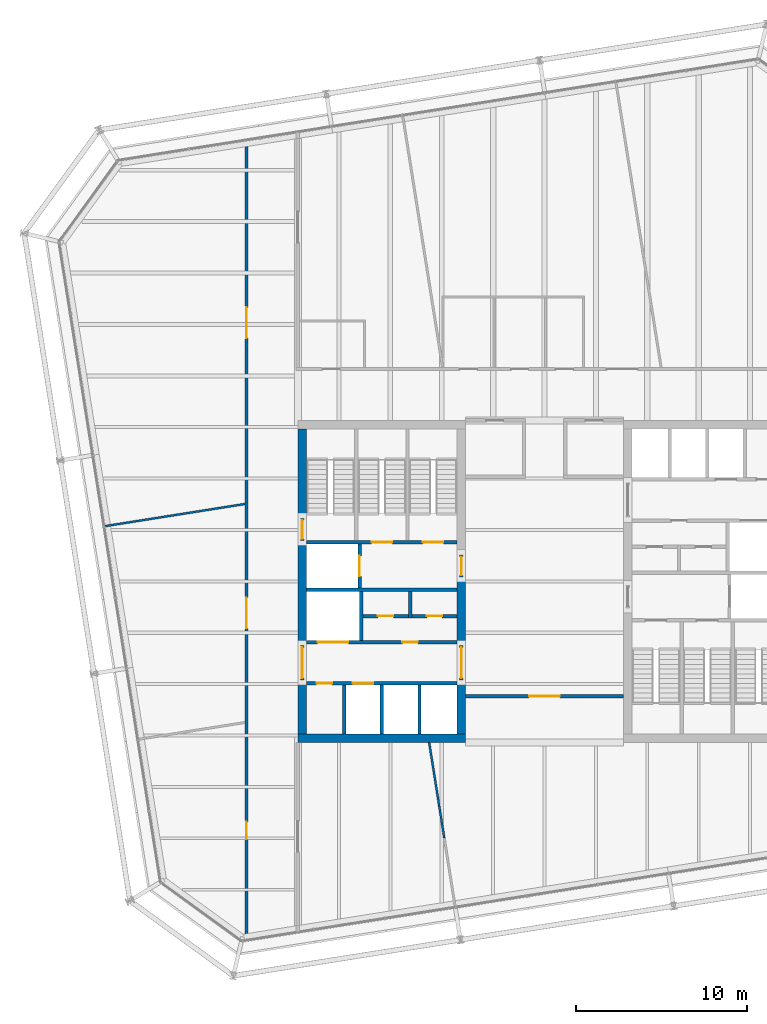
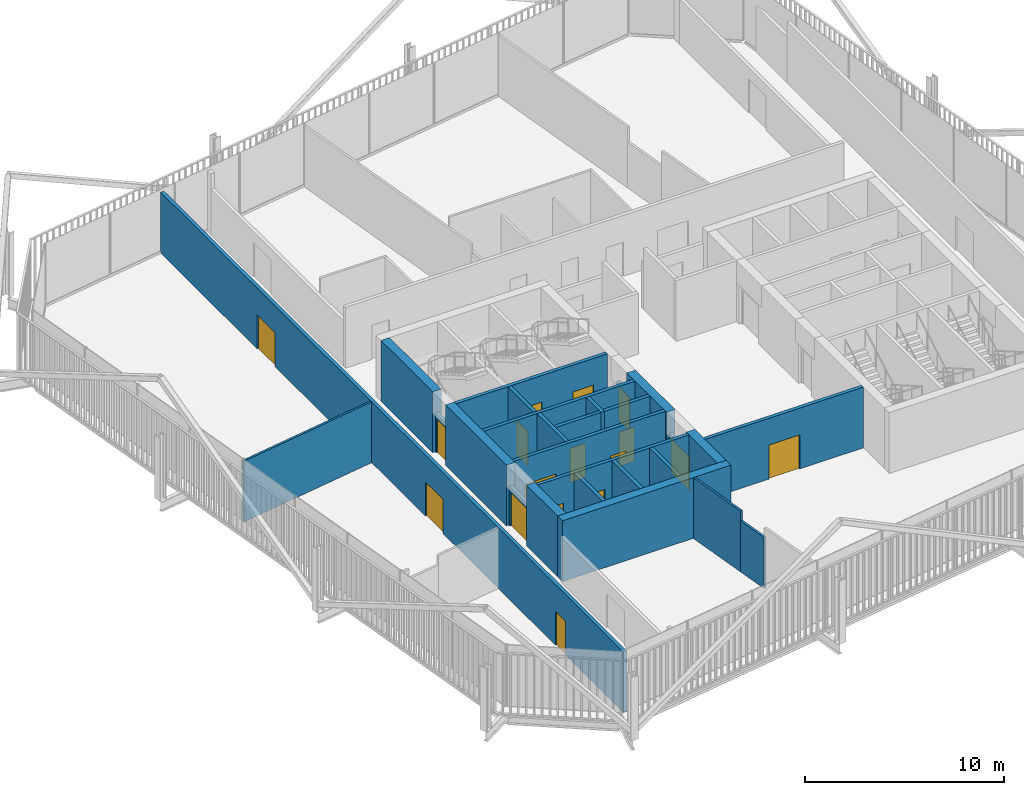
# One storey, part 17 of 21: 26 walls, 17 doors, 17 openings.
"""IFC4 building model written with IfcOpenShell, lengths in metres."""

from ifc_helpers import new_model, si_unit, direction, frame, frame_2d, origin, place, context, subcontext, project, spatial, rectangle, extrude, material, layer, layer_set, type_object, element, fill, save


model = new_model("IFC4")

# Units and contexts
model_context = context("Model", 3, precision=1e-05, world=origin(), true_north=direction((0.0, 1.0)))
body_context = subcontext(model_context, "Body", "Model", "MODEL_VIEW")
ifc_project = project(units=[si_unit("LENGTHUNIT", "METRE"), si_unit("AREAUNIT", "SQUARE_METRE"), si_unit("VOLUMEUNIT", "CUBIC_METRE"), si_unit("PLANEANGLEUNIT", "RADIAN"), si_unit("MASSUNIT", "GRAM", prefix="KILO")], contexts=[model_context])

# Site, building, storey
site_placement = place(None, origin())
site = spatial("IfcSite", under=ifc_project, at=site_placement, CompositionType="ELEMENT")
building_placement = place(site_placement, origin())
building = spatial("IfcBuilding", under=site, at=building_placement, Name="Millrace Tower", CompositionType="ELEMENT")
storey_placement = place(building_placement, frame((0.0, 0.0, 212.5)))
storey = spatial("IfcBuildingStorey", under=building, at=storey_placement, Name="L48", CompositionType="ELEMENT", Elevation=212.5)

# Walls
ifc_material_1 = material(Name="Concrete C60", Category="concrete")
ifc_layer_1 = layer(ifc_material_1, 0.5)
ifc_layer_set_1 = layer_set([ifc_layer_1], Name="Concrete C60")
wall_type_1 = type_object("IfcWallType", Name="Core wall 500 Concrete C60", PredefinedType="SHEAR", material=ifc_layer_set_1)
wall_1_placement = place(storey_placement, frame((-14.39990234375, -9.14990234375, 0.0), z_axis=(0.0, 0.0, 1.0), x_axis=(1.0, 0.0, 0.0)))
element("IfcWall", 1, at=wall_1_placement, inside=storey, type_object=wall_type_1, Name="Core wall W L48", PredefinedType="SHEAR", context=body_context, shape_type="SweptSolid", body=[
    extrude(rectangle(XDim=9.7998046875, YDim=0.5, at=frame_2d((4.89990234375, 0.0))), origin(), (0.0, 0.0, 1.0), 3.739990234375),
])
wall_2_placement = place(storey_placement, frame((-14.14990234375, -8.89990234375, 0.0), z_axis=(0.0, 0.0, 1.0), x_axis=(0.0, 1.0, 0.0)))
element("IfcWall", 2, at=wall_2_placement, inside=storey, type_object=wall_type_1, Name="Core wall W L48", PredefinedType="SHEAR", context=body_context, shape_type="SweptSolid", body=[
    extrude(rectangle(XDim=3.14990234375, YDim=0.5, at=frame_2d((1.574951171875, 0.0))), origin(), (0.0, 0.0, 1.0), 3.739990234375),
])
wall_3_placement = place(storey_placement, frame((-14.14990234375, -3.75, 0.0), z_axis=(0.0, 0.0, 1.0), x_axis=(0.0, 1.0, 0.0)))
element("IfcWall", 3, at=wall_3_placement, inside=storey, type_object=wall_type_1, Name="Core wall W L48", PredefinedType="SHEAR", context=body_context, shape_type="SweptSolid", body=[
    extrude(rectangle(XDim=6.1298828125, YDim=0.5, at=frame_2d((3.06494140625, 0.0))), origin(), (0.0, 0.0, 1.0), 3.739990234375),
])
wall_4_placement = place(storey_placement, frame((-14.14990234375, 3.679931640625, 0.0), z_axis=(0.0, 0.0, 1.0), x_axis=(0.0, 1.0, 0.0)))
element("IfcWall", 4, at=wall_4_placement, inside=storey, type_object=wall_type_1, Name="Core wall W L48", PredefinedType="SHEAR", context=body_context, shape_type="SweptSolid", body=[
    extrude(rectangle(XDim=5.219970703125, YDim=0.5, at=frame_2d((2.60986328125, 0.0))), origin(), (0.0, 0.0, 1.0), 3.739990234375),
])
wall_5_placement = place(storey_placement, frame((-4.85009765625, -8.89990234375, 0.0), z_axis=(0.0, 0.0, 1.0), x_axis=(0.0, 1.0, 0.0)))
element("IfcWall", 5, at=wall_5_placement, inside=storey, type_object=wall_type_1, Name="Core wall W L48", PredefinedType="SHEAR", context=body_context, shape_type="SweptSolid", body=[
    extrude(rectangle(XDim=3.14990234375, YDim=0.5, at=frame_2d((1.574951171875, 0.0))), origin(), (0.0, 0.0, 1.0), 3.739990234375),
])
wall_6_placement = place(storey_placement, frame((-4.85009765625, -3.75, 0.0), z_axis=(0.0, 0.0, 1.0), x_axis=(0.0, 1.0, 0.0)))
element("IfcWall", 6, at=wall_6_placement, inside=storey, type_object=wall_type_1, Name="Core wall W L48", PredefinedType="SHEAR", context=body_context, shape_type="SweptSolid", body=[
    extrude(rectangle(XDim=4.0, YDim=0.5, at=frame_2d((2.0, 0.0))), origin(), (0.0, 0.0, 1.0), 3.739990234375),
])

# Wall, opening, door
ifc_material_2 = material(Name="Masonry partition, fire-rated", Category="masonry")
ifc_layer_2 = layer(ifc_material_2, 0.199951171875)
ifc_layer_set_2 = layer_set([ifc_layer_2], Name="Masonry partition, fire-rated")
wall_type_2 = type_object("IfcWallType", Name="Corridor wall 200", PredefinedType="PARTITIONING", material=ifc_layer_set_2)
wall_7_placement = place(storey_placement, frame((-4.60009765625, -6.699951171875, 0.0), z_axis=(0.0, 0.0, 1.0), x_axis=(1.0, 0.0, 0.0)))
wall_7 = element("IfcWall", 7, at=wall_7_placement, inside=storey, type_object=wall_type_2, Name="Corridor wall L48", PredefinedType="PARTITIONING", context=body_context, shape_type="SweptSolid", body=[
    extrude(rectangle(XDim=9.2001953125, YDim=0.199951171875, at=frame_2d((4.60009765625, 0.0))), origin(), (0.0, 0.0, 1.0), 3.739990234375),
])
opening_1_placement = place(wall_7_placement, frame((3.699951171875, 0.0, 0.0)))
opening_1 = element("IfcOpeningElement", 8, at=opening_1_placement, cuts=wall_7, Name="Opening 48-P015", PredefinedType="OPENING", context=body_context, shape_type="SweptSolid", body=[
    extrude(rectangle(XDim=1.800048828125, YDim=2.10009765625, at=frame_2d((0.89990234375, 1.050048828125))), frame((0.0, 0.10986328125, 0.0), z_axis=(0.0, -1.0, 0.0), x_axis=(1.0, 0.0, 0.0)), (0.0, 0.0, 1.0), 0.219970703125),
])
ifc_material_3 = material(Name="Steel door set, fire-rated", Category="steel")
door_type_1 = type_object("IfcDoorType", Name="Corridor door 1800 x 2100", OperationType="DOUBLE_DOOR_SINGLE_SWING", PredefinedType="DOOR", material=ifc_material_3)
door_1_placement = place(opening_1_placement, origin())
door_1 = element("IfcDoor", 9, at=door_1_placement, inside=storey, type_object=door_type_1, Name="Door 48-P015", OperationType="DOUBLE_DOOR_SINGLE_SWING", OverallHeight=2.10009765625, OverallWidth=1.800048828125, PredefinedType="DOOR", context=body_context, shape_type="SweptSolid", body=[
    extrude(rectangle(XDim=1.800048828125, YDim=2.10009765625, at=frame_2d((0.89990234375, 1.050048828125))), frame((0.0, 0.02490234375, 0.0), z_axis=(0.0, -1.0, 0.0), x_axis=(1.0, 0.0, 0.0)), (0.0, 0.0, 1.0), 0.050048828125),
])
fill(opening_1, door_1)

# Wall, openings, doors
wall_8_placement = place(storey_placement, frame((-17.39990234375, -20.9111328125, 0.0), z_axis=(0.0, 0.0, 1.0), x_axis=(0.0, 1.0, 0.0)))
wall_8 = element("IfcWall", 10, at=wall_8_placement, inside=storey, type_object=wall_type_2, Name="Corridor wall L48", PredefinedType="PARTITIONING", context=body_context, shape_type="SweptSolid", body=[
    extrude(rectangle(XDim=46.634033203125, YDim=0.199951171875, at=frame_2d((23.31689453125, 0.0))), origin(), (0.0, 0.0, 1.0), 3.739990234375),
])
opening_2_placement = place(wall_8_placement, frame((5.8681640625, 0.0, 0.0)))
opening_2 = element("IfcOpeningElement", 11, at=opening_2_placement, cuts=wall_8, Name="Opening 48-P003", PredefinedType="OPENING", context=body_context, shape_type="SweptSolid", body=[
    extrude(rectangle(XDim=1.0, YDim=2.10009765625, at=frame_2d((0.5, 1.050048828125))), frame((0.0, 0.10986328125, 0.0), z_axis=(0.0, -1.0, 0.0), x_axis=(1.0, 0.0, 0.0)), (0.0, 0.0, 1.0), 0.219970703125),
])
opening_3_placement = place(wall_8_placement, frame((18.16455078125, 0.0, 0.0)))
opening_3 = element("IfcOpeningElement", 12, at=opening_3_placement, cuts=wall_8, Name="Opening 48-P004", PredefinedType="OPENING", context=body_context, shape_type="SweptSolid", body=[
    extrude(rectangle(XDim=1.800048828125, YDim=2.10009765625, at=frame_2d((0.89990234375, 1.050048828125))), frame((0.0, 0.10986328125, 0.0), z_axis=(0.0, -1.0, 0.0), x_axis=(1.0, 0.0, 0.0)), (0.0, 0.0, 1.0), 0.219970703125),
])
opening_4_placement = place(wall_8_placement, frame((35.11328125, 0.0, 0.0)))
opening_4 = element("IfcOpeningElement", 13, at=opening_4_placement, cuts=wall_8, Name="Opening 48-P005", PredefinedType="OPENING", context=body_context, shape_type="SweptSolid", body=[
    extrude(rectangle(XDim=1.800048828125, YDim=2.10009765625, at=frame_2d((0.89990234375, 1.050048828125))), frame((0.0, 0.10986328125, 0.0), z_axis=(0.0, -1.0, 0.0), x_axis=(1.0, 0.0, 0.0)), (0.0, 0.0, 1.0), 0.219970703125),
])
ifc_material_4 = material(Name="Steel door set, fire-rated", Category="steel")
door_type_2 = type_object("IfcDoorType", Name="Corridor door 1000 x 2100", OperationType="SINGLE_SWING_LEFT", PredefinedType="DOOR", material=ifc_material_4)
door_2_placement = place(opening_2_placement, origin())
door_2 = element("IfcDoor", 14, at=door_2_placement, inside=storey, type_object=door_type_2, Name="Door 48-P003", OperationType="SINGLE_SWING_LEFT", OverallHeight=2.10009765625, OverallWidth=1.0, PredefinedType="DOOR", context=body_context, shape_type="SweptSolid", body=[
    extrude(rectangle(XDim=1.0, YDim=2.10009765625, at=frame_2d((0.5, 1.050048828125))), frame((0.0, 0.02490234375, 0.0), z_axis=(0.0, -1.0, 0.0), x_axis=(1.0, 0.0, 0.0)), (0.0, 0.0, 1.0), 0.050048828125),
])
fill(opening_2, door_2)
door_3_placement = place(opening_3_placement, origin())
door_3 = element("IfcDoor", 15, at=door_3_placement, inside=storey, type_object=door_type_1, Name="Door 48-P004", OperationType="DOUBLE_DOOR_SINGLE_SWING", OverallHeight=2.10009765625, OverallWidth=1.800048828125, PredefinedType="DOOR", context=body_context, shape_type="SweptSolid", body=[
    extrude(rectangle(XDim=1.800048828125, YDim=2.10009765625, at=frame_2d((0.89990234375, 1.050048828125))), frame((0.0, 0.02490234375, 0.0), z_axis=(0.0, -1.0, 0.0), x_axis=(1.0, 0.0, 0.0)), (0.0, 0.0, 1.0), 0.050048828125),
])
fill(opening_3, door_3)
door_4_placement = place(opening_4_placement, frame((1.800048828125, 0.0, 0.0), z_axis=(0.0, 0.0, 1.0), x_axis=(-1.0, 0.0, 0.0)))
door_4 = element("IfcDoor", 16, at=door_4_placement, inside=storey, type_object=door_type_1, Name="Door 48-P005", OperationType="DOUBLE_DOOR_SINGLE_SWING", OverallHeight=2.10009765625, OverallWidth=1.800048828125, PredefinedType="DOOR", context=body_context, shape_type="SweptSolid", body=[
    extrude(rectangle(XDim=1.800048828125, YDim=2.10009765625, at=frame_2d((0.89990234375, 1.050048828125))), frame((0.0, 0.02490234375, 0.0), z_axis=(0.0, -1.0, 0.0), x_axis=(1.0, 0.0, 0.0)), (0.0, 0.0, 1.0), 0.050048828125),
])
fill(opening_4, door_4)

ifc_material_5 = material(Name="Masonry partition, fire-rated", Category="masonry")
ifc_layer_3 = layer(ifc_material_5, 0.199951171875)
ifc_layer_set_3 = layer_set([ifc_layer_3], Name="Masonry partition, fire-rated")
wall_type_3 = type_object("IfcWallType", Name="Lift shaft wall 200", PredefinedType="PARTITIONING", material=ifc_layer_set_3)
wall_9_placement = place(storey_placement, frame((-13.89990234375, -5.949951171875, 0.0), z_axis=(0.0, 0.0, 1.0), x_axis=(1.0, 0.0, 0.0)))
wall_9 = element("IfcWall", 17, at=wall_9_placement, inside=storey, type_object=wall_type_3, Name="Lift shaft wall W L48", PredefinedType="PARTITIONING", context=body_context, shape_type="SweptSolid", body=[
    extrude(rectangle(XDim=8.7998046875, YDim=0.199951171875, at=frame_2d((4.39990234375, 0.0))), origin(), (0.0, 0.0, 1.0), 3.739990234375),
])
opening_5_placement = place(wall_9_placement, frame((2.699951171875, 0.0, 0.0)))
opening_5 = element("IfcOpeningElement", 18, at=opening_5_placement, cuts=wall_9, Name="Opening 48-LD02", PredefinedType="OPENING", context=body_context, shape_type="SweptSolid", body=[
    extrude(rectangle(XDim=1.199951171875, YDim=2.10009765625, at=frame_2d((0.60009765625, 1.050048828125))), frame((0.0, 0.10986328125, 0.0), z_axis=(0.0, -1.0, 0.0), x_axis=(1.0, 0.0, 0.0)), (0.0, 0.0, 1.0), 0.219970703125),
])
opening_6_placement = place(wall_9_placement, frame((0.60009765625, 0.0, 0.0)))
opening_6 = element("IfcOpeningElement", 19, at=opening_6_placement, cuts=wall_9, Name="Opening 48-C005", PredefinedType="OPENING", context=body_context, shape_type="SweptSolid", body=[
    extrude(rectangle(XDim=0.89990234375, YDim=2.10009765625, at=frame_2d((0.449951171875, 1.050048828125))), frame((0.0, 0.10986328125, 0.0), z_axis=(0.0, -1.0, 0.0), x_axis=(1.0, 0.0, 0.0)), (0.0, 0.0, 1.0), 0.219970703125),
])
ifc_material_6 = material(Name="Stainless steel, fire-rated", Category="steel")
door_type_3 = type_object("IfcDoorType", Name="Lift landing door 1200 x 2100", OperationType="DOUBLE_DOOR_SLIDING", PredefinedType="DOOR", material=ifc_material_6)
door_5_placement = place(opening_5_placement, origin())
door_5 = element("IfcDoor", 20, at=door_5_placement, inside=storey, type_object=door_type_3, Name="Lift landing door LF2 L48", OperationType="DOUBLE_DOOR_SLIDING", OverallHeight=2.10009765625, OverallWidth=1.199951171875, PredefinedType="DOOR", context=body_context, shape_type="SweptSolid", body=[
    extrude(rectangle(XDim=1.199951171875, YDim=2.10009765625, at=frame_2d((0.60009765625, 1.050048828125))), frame((0.0, 0.02490234375, 0.0), z_axis=(0.0, -1.0, 0.0), x_axis=(1.0, 0.0, 0.0)), (0.0, 0.0, 1.0), 0.050048828125),
])
fill(opening_5, door_5)
ifc_material_7 = material(Name="Steel door, fire-rated", Category="steel")
door_type_4 = type_object("IfcDoorType", Name="Service room door 900 x 2100", OperationType="SINGLE_SWING_LEFT", PredefinedType="DOOR", material=ifc_material_7)
door_6_placement = place(opening_6_placement, frame((0.89990234375, 0.0, 0.0), z_axis=(0.0, 0.0, 1.0), x_axis=(-1.0, 0.0, 0.0)))
door_6 = element("IfcDoor", 21, at=door_6_placement, inside=storey, type_object=door_type_4, Name="Service room door 48-C005", OperationType="SINGLE_SWING_RIGHT", OverallHeight=2.10009765625, OverallWidth=0.89990234375, PredefinedType="DOOR", context=body_context, shape_type="SweptSolid", body=[
    extrude(rectangle(XDim=0.89990234375, YDim=2.10009765625, at=frame_2d((0.449951171875, 1.050048828125))), frame((0.0, 0.02490234375, 0.0), z_axis=(0.0, -1.0, 0.0), x_axis=(1.0, 0.0, 0.0)), (0.0, 0.0, 1.0), 0.050048828125),
])
fill(opening_6, door_6)

wall_10_placement = place(storey_placement, frame((-13.89990234375, -3.550048828125, 0.0), z_axis=(0.0, 0.0, 1.0), x_axis=(1.0, 0.0, 0.0)))
wall_10 = element("IfcWall", 22, at=wall_10_placement, inside=storey, type_object=wall_type_3, Name="Lift shaft wall W L48", PredefinedType="PARTITIONING", context=body_context, shape_type="SweptSolid", body=[
    extrude(rectangle(XDim=8.7998046875, YDim=0.199951171875, at=frame_2d((4.39990234375, 0.0))), origin(), (0.0, 0.0, 1.0), 3.739990234375),
])
opening_7_placement = place(wall_10_placement, frame((0.64990234375, 0.0, 0.0)))
opening_7 = element("IfcOpeningElement", 23, at=opening_7_placement, cuts=wall_10, Name="Opening 48-LD05", PredefinedType="OPENING", context=body_context, shape_type="SweptSolid", body=[
    extrude(rectangle(XDim=1.800048828125, YDim=2.10009765625, at=frame_2d((0.89990234375, 1.050048828125))), frame((0.0, 0.10986328125, 0.0), z_axis=(0.0, -1.0, 0.0), x_axis=(1.0, 0.0, 0.0)), (0.0, 0.0, 1.0), 0.219970703125),
])
opening_8_placement = place(wall_10_placement, frame((5.60009765625, 0.0, 0.0)))
opening_8 = element("IfcOpeningElement", 24, at=opening_8_placement, cuts=wall_10, Name="Opening 48-C006", PredefinedType="OPENING", context=body_context, shape_type="SweptSolid", body=[
    extrude(rectangle(XDim=0.89990234375, YDim=2.10009765625, at=frame_2d((0.449951171875, 1.050048828125))), frame((0.0, 0.10986328125, 0.0), z_axis=(0.0, -1.0, 0.0), x_axis=(1.0, 0.0, 0.0)), (0.0, 0.0, 1.0), 0.219970703125),
])
ifc_material_8 = material(Name="Stainless steel, fire-rated", Category="steel")
door_type_5 = type_object("IfcDoorType", Name="Lift landing door 1800 x 2100", OperationType="DOUBLE_DOOR_SLIDING", PredefinedType="DOOR", material=ifc_material_8)
door_7_placement = place(opening_7_placement, origin())
door_7 = element("IfcDoor", 25, at=door_7_placement, inside=storey, type_object=door_type_5, Name="Lift landing door LF5 L48", OperationType="DOUBLE_DOOR_SLIDING", OverallHeight=2.10009765625, OverallWidth=1.800048828125, PredefinedType="DOOR", context=body_context, shape_type="SweptSolid", body=[
    extrude(rectangle(XDim=1.800048828125, YDim=2.10009765625, at=frame_2d((0.89990234375, 1.050048828125))), frame((0.0, 0.02490234375, 0.0), z_axis=(0.0, -1.0, 0.0), x_axis=(1.0, 0.0, 0.0)), (0.0, 0.0, 1.0), 0.050048828125),
])
fill(opening_7, door_7)
door_8_placement = place(opening_8_placement, frame((0.89990234375, 0.0, 0.0), z_axis=(0.0, 0.0, 1.0), x_axis=(-1.0, 0.0, 0.0)))
door_8 = element("IfcDoor", 26, at=door_8_placement, inside=storey, type_object=door_type_4, Name="Service room door 48-C006", OperationType="SINGLE_SWING_LEFT", OverallHeight=2.10009765625, OverallWidth=0.89990234375, PredefinedType="DOOR", context=body_context, shape_type="SweptSolid", body=[
    extrude(rectangle(XDim=0.89990234375, YDim=2.10009765625, at=frame_2d((0.449951171875, 1.050048828125))), frame((0.0, 0.02490234375, 0.0), z_axis=(0.0, -1.0, 0.0), x_axis=(1.0, 0.0, 0.0)), (0.0, 0.0, 1.0), 0.050048828125),
])
fill(opening_8, door_8)

# Wall
wall_11_placement = place(storey_placement, frame((-13.89990234375, -0.5, 0.0), z_axis=(0.0, 0.0, 1.0), x_axis=(1.0, 0.0, 0.0)))
element("IfcWall", 27, at=wall_11_placement, inside=storey, type_object=wall_type_3, Name="Lift shaft wall W L48", PredefinedType="PARTITIONING", context=body_context, shape_type="SweptSolid", body=[
    extrude(rectangle(XDim=8.7998046875, YDim=0.199951171875, at=frame_2d((4.39990234375, 0.0))), origin(), (0.0, 0.0, 1.0), 3.739990234375),
])

# Wall, opening, door
wall_12_placement = place(storey_placement, frame((-10.800048828125, -0.39990234375, 0.0), z_axis=(0.0, 0.0, 1.0), x_axis=(0.0, 1.0, 0.0)))
wall_12 = element("IfcWall", 28, at=wall_12_placement, inside=storey, type_object=wall_type_3, Name="Lift shaft wall W L48", PredefinedType="PARTITIONING", context=body_context, shape_type="SweptSolid", body=[
    extrude(rectangle(XDim=2.579833984375, YDim=0.199951171875, at=frame_2d((1.2900390625, 0.0))), origin(), (0.0, 0.0, 1.0), 3.739990234375),
])
opening_9_placement = place(wall_12_placement, frame((0.68994140625, 0.0, 0.0)))
opening_9 = element("IfcOpeningElement", 29, at=opening_9_placement, cuts=wall_12, Name="Opening 48-LD08", PredefinedType="OPENING", context=body_context, shape_type="SweptSolid", body=[
    extrude(rectangle(XDim=1.199951171875, YDim=2.10009765625, at=frame_2d((0.60009765625, 1.050048828125))), frame((0.0, 0.10986328125, 0.0), z_axis=(0.0, -1.0, 0.0), x_axis=(1.0, 0.0, 0.0)), (0.0, 0.0, 1.0), 0.219970703125),
])
door_9_placement = place(opening_9_placement, origin())
door_9 = element("IfcDoor", 30, at=door_9_placement, inside=storey, type_object=door_type_3, Name="Lift landing door LF8 L48", OperationType="DOUBLE_DOOR_SLIDING", OverallHeight=2.10009765625, OverallWidth=1.199951171875, PredefinedType="DOOR", context=body_context, shape_type="SweptSolid", body=[
    extrude(rectangle(XDim=1.199951171875, YDim=2.10009765625, at=frame_2d((0.60009765625, 1.050048828125))), frame((0.0, 0.02490234375, 0.0), z_axis=(0.0, -1.0, 0.0), x_axis=(1.0, 0.0, 0.0)), (0.0, 0.0, 1.0), 0.050048828125),
])
fill(opening_9, door_9)

# Walls
for number, where, z_axis, x_axis, name in (
    (31, (-11.699951171875, -8.89990234375, 0.0), (0.0, 0.0, 1.0), (0.0, 1.0, 0.0), "Lift shaft wall W L48"),
    (32, (-9.5, -8.89990234375, 0.0), (0.0, 0.0, 1.0), (0.0, 1.0, 0.0), "Lift shaft wall W L48"),
    (33, (-7.300048828125, -8.89990234375, 0.0), (0.0, 0.0, 1.0), (0.0, 1.0, 0.0), "Lift shaft wall W L48"),
    (34, (-10.699951171875, -3.449951171875, 0.0), (0.0, 0.0, 1.0), (0.0, 1.0, 0.0), "Lift shaft wall W L48"),
):
    element("IfcWall", number, at=place(storey_placement, frame(where, z_axis=z_axis, x_axis=x_axis)), inside=storey, type_object=wall_type_3, Name=name, PredefinedType="PARTITIONING", context=body_context, shape_type="SweptSolid", body=[
        extrude(rectangle(XDim=2.849853515625, YDim=0.199951171875, at=frame_2d((1.4248046875, 0.0))), origin(), (0.0, 0.0, 1.0), 3.739990234375),
    ])

# Wall, opening, door
ifc_material_9 = material(Name="Masonry partition, fire-rated", Category="masonry")
ifc_layer_4 = layer(ifc_material_9, 0.199951171875)
ifc_layer_set_4 = layer_set([ifc_layer_4], Name="Masonry partition, fire-rated")
wall_type_4 = type_object("IfcWallType", Name="Lobby wall 200", PredefinedType="PARTITIONING", material=ifc_layer_set_4)
wall_13_placement = place(storey_placement, frame((-14.14990234375, -5.75, 0.0), z_axis=(0.0, 0.0, 1.0), x_axis=(0.0, 1.0, 0.0)))
wall_13 = element("IfcWall", 35, at=wall_13_placement, inside=storey, type_object=wall_type_4, Name="Lobby wall W L48", PredefinedType="PARTITIONING", context=body_context, shape_type="SweptSolid", body=[
    extrude(rectangle(XDim=2.0, YDim=0.199951171875, at=frame_2d((1.0, 0.0))), origin(), (0.0, 0.0, 1.0), 2.39990234375),
])
opening_10_placement = place(wall_13_placement, frame((0.10009765625, 0.0, 0.0)))
opening_10 = element("IfcOpeningElement", 36, at=opening_10_placement, cuts=wall_13, Name="Opening 48-C001", PredefinedType="OPENING", context=body_context, shape_type="SweptSolid", body=[
    extrude(rectangle(XDim=1.800048828125, YDim=2.10009765625, at=frame_2d((0.89990234375, 1.050048828125))), frame((0.0, 0.10986328125, 0.0), z_axis=(0.0, -1.0, 0.0), x_axis=(1.0, 0.0, 0.0)), (0.0, 0.0, 1.0), 0.219970703125),
])
ifc_material_10 = material(Name="Steel door, fire-rated", Category="steel")
door_type_6 = type_object("IfcDoorType", Name="Lobby door 1800 x 2100", OperationType="DOUBLE_DOOR_SINGLE_SWING", PredefinedType="DOOR", material=ifc_material_10)
door_10_placement = place(opening_10_placement, origin())
door_10 = element("IfcDoor", 37, at=door_10_placement, inside=storey, type_object=door_type_6, Name="Lobby door 48-C001", OperationType="DOUBLE_DOOR_SINGLE_SWING", OverallHeight=2.10009765625, OverallWidth=1.800048828125, PredefinedType="DOOR", context=body_context, shape_type="SweptSolid", body=[
    extrude(rectangle(XDim=1.800048828125, YDim=2.10009765625, at=frame_2d((0.89990234375, 1.050048828125))), frame((0.0, 0.02490234375, 0.0), z_axis=(0.0, -1.0, 0.0), x_axis=(1.0, 0.0, 0.0)), (0.0, 0.0, 1.0), 0.050048828125),
])
fill(opening_10, door_10)

wall_14_placement = place(storey_placement, frame((-4.85009765625, -5.75, 0.0), z_axis=(0.0, 0.0, 1.0), x_axis=(0.0, 1.0, 0.0)))
wall_14 = element("IfcWall", 38, at=wall_14_placement, inside=storey, type_object=wall_type_4, Name="Lobby wall W L48", PredefinedType="PARTITIONING", context=body_context, shape_type="SweptSolid", body=[
    extrude(rectangle(XDim=2.0, YDim=0.199951171875, at=frame_2d((1.0, 0.0))), origin(), (0.0, 0.0, 1.0), 2.39990234375),
])
opening_11_placement = place(wall_14_placement, frame((0.10009765625, 0.0, 0.0)))
opening_11 = element("IfcOpeningElement", 39, at=opening_11_placement, cuts=wall_14, Name="Opening 48-C003", PredefinedType="OPENING", context=body_context, shape_type="SweptSolid", body=[
    extrude(rectangle(XDim=1.800048828125, YDim=2.10009765625, at=frame_2d((0.89990234375, 1.050048828125))), frame((0.0, 0.10986328125, 0.0), z_axis=(0.0, -1.0, 0.0), x_axis=(1.0, 0.0, 0.0)), (0.0, 0.0, 1.0), 0.219970703125),
])
door_11_placement = place(opening_11_placement, frame((1.800048828125, 0.0, 0.0), z_axis=(0.0, 0.0, 1.0), x_axis=(-1.0, 0.0, 0.0)))
door_11 = element("IfcDoor", 40, at=door_11_placement, inside=storey, type_object=door_type_6, Name="Lobby door 48-C003", OperationType="DOUBLE_DOOR_SINGLE_SWING", OverallHeight=2.10009765625, OverallWidth=1.800048828125, PredefinedType="DOOR", context=body_context, shape_type="SweptSolid", body=[
    extrude(rectangle(XDim=1.800048828125, YDim=2.10009765625, at=frame_2d((0.89990234375, 1.050048828125))), frame((0.0, 0.02490234375, 0.0), z_axis=(0.0, -1.0, 0.0), x_axis=(1.0, 0.0, 0.0)), (0.0, 0.0, 1.0), 0.050048828125),
])
fill(opening_11, door_11)

wall_15_placement = place(storey_placement, frame((-4.85009765625, 0.25, 0.0), z_axis=(0.0, 0.0, 1.0), x_axis=(0.0, 1.0, 0.0)))
wall_15 = element("IfcWall", 41, at=wall_15_placement, inside=storey, type_object=wall_type_4, Name="Lobby wall W L48", PredefinedType="PARTITIONING", context=body_context, shape_type="SweptSolid", body=[
    extrude(rectangle(XDim=1.300048828125, YDim=0.199951171875, at=frame_2d((0.64990234375, 0.0))), origin(), (0.0, 0.0, 1.0), 2.39990234375),
])
opening_12_placement = place(wall_15_placement, frame((0.10009765625, 0.0, 0.0)))
opening_12 = element("IfcOpeningElement", 42, at=opening_12_placement, cuts=wall_15, Name="Opening 48-C004", PredefinedType="OPENING", context=body_context, shape_type="SweptSolid", body=[
    extrude(rectangle(XDim=1.10009765625, YDim=2.10009765625, at=frame_2d((0.550048828125, 1.050048828125))), frame((0.0, 0.10986328125, 0.0), z_axis=(0.0, -1.0, 0.0), x_axis=(1.0, 0.0, 0.0)), (0.0, 0.0, 1.0), 0.219970703125),
])
ifc_material_11 = material(Name="Steel door, fire-rated", Category="steel")
door_type_7 = type_object("IfcDoorType", Name="Lobby door 1100 x 2100", OperationType="SINGLE_SWING_LEFT", PredefinedType="DOOR", material=ifc_material_11)
door_12_placement = place(opening_12_placement, frame((1.10009765625, 0.0, 0.0), z_axis=(0.0, 0.0, 1.0), x_axis=(-1.0, 0.0, 0.0)))
door_12 = element("IfcDoor", 43, at=door_12_placement, inside=storey, type_object=door_type_7, Name="Lobby door 48-C004", OperationType="SINGLE_SWING_LEFT", OverallHeight=2.10009765625, OverallWidth=1.10009765625, PredefinedType="DOOR", context=body_context, shape_type="SweptSolid", body=[
    extrude(rectangle(XDim=1.10009765625, YDim=2.10009765625, at=frame_2d((0.550048828125, 1.050048828125))), frame((0.0, 0.02490234375, 0.0), z_axis=(0.0, -1.0, 0.0), x_axis=(1.0, 0.0, 0.0)), (0.0, 0.0, 1.0), 0.050048828125),
])
fill(opening_12, door_12)

# Walls
ifc_material_12 = material(Name="Gypsum board partition")
ifc_layer_5 = layer(ifc_material_12, 0.1201171875)
ifc_layer_set_5 = layer_set([ifc_layer_5], Name="Gypsum board partition")
wall_type_5 = type_object("IfcWallType", Name="Partition wall 120", PredefinedType="PARTITIONING", material=ifc_layer_set_5)
wall_16_placement = place(storey_placement, frame((-6.737060546875, -9.39990234375, 0.0), z_axis=(0.0, 0.0, 1.0), x_axis=(0.156382059487, -0.987696639394, 0.0)))
element("IfcWall", 44, at=wall_16_placement, inside=storey, type_object=wall_type_5, Name="Partition wall L48", PredefinedType="PARTITIONING", context=body_context, shape_type="SweptSolid", body=[
    extrude(rectangle(XDim=3.765625, YDim=0.1201171875, at=frame_2d((1.8828125, 0.0))), origin(), (0.0, 0.0, 1.0), 3.739990234375),
])
wall_17_placement = place(storey_placement, frame((-6.148193359375, -13.119140625, 0.0), z_axis=(0.0, 0.0, 1.0), x_axis=(0.1562533807, -0.987717004521, 0.0)))
element("IfcWall", 45, at=wall_17_placement, inside=storey, type_object=wall_type_5, Name="Partition wall L48", PredefinedType="PARTITIONING", context=body_context, shape_type="SweptSolid", body=[
    extrude(rectangle(XDim=1.896728515625, YDim=0.1201171875, at=frame_2d((0.9482421875, 0.0))), origin(), (0.0, 0.0, 1.0), 3.140625),
])
wall_18_placement = place(storey_placement, frame((-25.675048828125, 3.22119140625, 0.0), z_axis=(0.0, 0.0, 1.0), x_axis=(0.987685127448, 0.156454750705, 0.0)))
element("IfcWall", 46, at=wall_18_placement, inside=storey, type_object=wall_type_5, Name="Partition wall L48", PredefinedType="PARTITIONING", context=body_context, shape_type="SweptSolid", body=[
    extrude(rectangle(XDim=8.2783203125, YDim=0.1201171875, at=frame_2d((4.13916015625, 0.0))), origin(), (0.0, 0.0, 1.0), 3.739990234375),
])

# Wall, openings, doors
ifc_material_13 = material(Name="Masonry partition, fire-rated", Category="masonry")
ifc_layer_6 = layer(ifc_material_13, 0.199951171875)
ifc_layer_set_6 = layer_set([ifc_layer_6], Name="Masonry partition, fire-rated")
wall_type_6 = type_object("IfcWallType", Name="Room partition 200", PredefinedType="PARTITIONING", material=ifc_layer_set_6)
wall_19_placement = place(storey_placement, frame((-10.60009765625, -2.02490234375, 0.0), z_axis=(0.0, 0.0, 1.0), x_axis=(1.0, 0.0, 0.0)))
wall_19 = element("IfcWall", 47, at=wall_19_placement, inside=storey, type_object=wall_type_6, Name="Room partition W L48", PredefinedType="PARTITIONING", context=body_context, shape_type="SweptSolid", body=[
    extrude(rectangle(XDim=5.5, YDim=0.199951171875, at=frame_2d((2.75, 0.0))), origin(), (0.0, 0.0, 1.0), 3.739990234375),
])
opening_13_placement = place(wall_19_placement, frame((0.875, 0.0, 0.0)))
opening_13 = element("IfcOpeningElement", 48, at=opening_13_placement, cuts=wall_19, Name="Opening 48-C007", PredefinedType="OPENING", context=body_context, shape_type="SweptSolid", body=[
    extrude(rectangle(XDim=0.89990234375, YDim=2.10009765625, at=frame_2d((0.449951171875, 1.050048828125))), frame((0.0, 0.10986328125, 0.0), z_axis=(0.0, -1.0, 0.0), x_axis=(1.0, 0.0, 0.0)), (0.0, 0.0, 1.0), 0.219970703125),
])
opening_14_placement = place(wall_19_placement, frame((3.72509765625, 0.0, 0.0)))
opening_14 = element("IfcOpeningElement", 49, at=opening_14_placement, cuts=wall_19, Name="Opening 48-C008", PredefinedType="OPENING", context=body_context, shape_type="SweptSolid", body=[
    extrude(rectangle(XDim=0.89990234375, YDim=2.10009765625, at=frame_2d((0.449951171875, 1.050048828125))), frame((0.0, 0.10986328125, 0.0), z_axis=(0.0, -1.0, 0.0), x_axis=(1.0, 0.0, 0.0)), (0.0, 0.0, 1.0), 0.219970703125),
])
door_13_placement = place(opening_13_placement, origin())
door_13 = element("IfcDoor", 50, at=door_13_placement, inside=storey, type_object=door_type_4, Name="Service room door 48-C007", OperationType="SINGLE_SWING_LEFT", OverallHeight=2.10009765625, OverallWidth=0.89990234375, PredefinedType="DOOR", context=body_context, shape_type="SweptSolid", body=[
    extrude(rectangle(XDim=0.89990234375, YDim=2.10009765625, at=frame_2d((0.449951171875, 1.050048828125))), frame((0.0, 0.02490234375, 0.0), z_axis=(0.0, -1.0, 0.0), x_axis=(1.0, 0.0, 0.0)), (0.0, 0.0, 1.0), 0.050048828125),
])
fill(opening_13, door_13)
door_14_placement = place(opening_14_placement, origin())
door_14 = element("IfcDoor", 51, at=door_14_placement, inside=storey, type_object=door_type_4, Name="Service room door 48-C008", OperationType="SINGLE_SWING_RIGHT", OverallHeight=2.10009765625, OverallWidth=0.89990234375, PredefinedType="DOOR", context=body_context, shape_type="SweptSolid", body=[
    extrude(rectangle(XDim=0.89990234375, YDim=2.10009765625, at=frame_2d((0.449951171875, 1.050048828125))), frame((0.0, 0.02490234375, 0.0), z_axis=(0.0, -1.0, 0.0), x_axis=(1.0, 0.0, 0.0)), (0.0, 0.0, 1.0), 0.050048828125),
])
fill(opening_14, door_14)

# Wall
wall_20_placement = place(storey_placement, frame((-7.85009765625, -2.125, 0.0), z_axis=(0.0, 0.0, 1.0), x_axis=(0.0, 1.0, 0.0)))
element("IfcWall", 52, at=wall_20_placement, inside=storey, type_object=wall_type_6, Name="Room partition W L48", PredefinedType="PARTITIONING", context=body_context, shape_type="SweptSolid", body=[
    extrude(rectangle(XDim=1.52490234375, YDim=0.199951171875, at=frame_2d((0.762451171875, 0.0))), origin(), (0.0, 0.0, 1.0), 3.739990234375),
])

# Wall, opening, door
ifc_material_14 = material(Name="Concrete C40", Category="concrete")
ifc_layer_7 = layer(ifc_material_14, 0.199951171875)
ifc_layer_set_7 = layer_set([ifc_layer_7], Name="Concrete C40")
wall_type_7 = type_object("IfcWallType", Name="Stair enclosure wall 200 Concrete C40", PredefinedType="SHEAR", material=ifc_layer_set_7)
wall_21_placement = place(storey_placement, frame((-14.14990234375, 2.3798828125, 0.0), z_axis=(0.0, 0.0, 1.0), x_axis=(0.0, 1.0, 0.0)))
wall_21 = element("IfcWall", 53, at=wall_21_placement, inside=storey, type_object=wall_type_7, Name="Stair enclosure wall W L48", PredefinedType="SHEAR", context=body_context, shape_type="SweptSolid", body=[
    extrude(rectangle(XDim=1.300048828125, YDim=0.199951171875, at=frame_2d((0.64990234375, 0.0))), origin(), (0.0, 0.0, 1.0), 2.39990234375),
])
opening_15_placement = place(wall_21_placement, frame((0.10009765625, 0.0, 0.0)))
opening_15 = element("IfcOpeningElement", 54, at=opening_15_placement, cuts=wall_21, Name="Opening 48-C002", PredefinedType="OPENING", context=body_context, shape_type="SweptSolid", body=[
    extrude(rectangle(XDim=1.10009765625, YDim=2.10009765625, at=frame_2d((0.550048828125, 1.050048828125))), frame((0.0, 0.10986328125, 0.0), z_axis=(0.0, -1.0, 0.0), x_axis=(1.0, 0.0, 0.0)), (0.0, 0.0, 1.0), 0.219970703125),
])
ifc_material_15 = material(Name="Steel door, fire-rated", Category="steel")
door_type_8 = type_object("IfcDoorType", Name="Stair door 1100 x 2100", OperationType="SINGLE_SWING_LEFT", PredefinedType="DOOR", material=ifc_material_15)
door_15_placement = place(opening_15_placement, origin())
door_15 = element("IfcDoor", 55, at=door_15_placement, inside=storey, type_object=door_type_8, Name="Stair door 48-C002", OperationType="SINGLE_SWING_RIGHT", OverallHeight=2.10009765625, OverallWidth=1.10009765625, PredefinedType="DOOR", context=body_context, shape_type="SweptSolid", body=[
    extrude(rectangle(XDim=1.10009765625, YDim=2.10009765625, at=frame_2d((0.550048828125, 1.050048828125))), frame((0.0, 0.02490234375, 0.0), z_axis=(0.0, -1.0, 0.0), x_axis=(1.0, 0.0, 0.0)), (0.0, 0.0, 1.0), 0.050048828125),
])
fill(opening_15, door_15)

# Wall, openings, doors
wall_22_placement = place(storey_placement, frame((-13.89990234375, 2.280029296875, 0.0), z_axis=(0.0, 0.0, 1.0), x_axis=(1.0, 0.0, 0.0)))
wall_22 = element("IfcWall", 56, at=wall_22_placement, inside=storey, type_object=wall_type_7, Name="Stair enclosure wall W L48", PredefinedType="SHEAR", context=body_context, shape_type="SweptSolid", body=[
    extrude(rectangle(XDim=8.7998046875, YDim=0.199951171875, at=frame_2d((4.39990234375, 0.0))), origin(), (0.0, 0.0, 1.0), 3.739990234375),
])
opening_16_placement = place(wall_22_placement, frame((3.800048828125, 0.0, 0.0)))
opening_16 = element("IfcOpeningElement", 57, at=opening_16_placement, cuts=wall_22, Name="Opening 48-C009", PredefinedType="OPENING", context=body_context, shape_type="SweptSolid", body=[
    extrude(rectangle(XDim=1.199951171875, YDim=2.10009765625, at=frame_2d((0.60009765625, 1.050048828125))), frame((0.0, 0.10986328125, 0.0), z_axis=(0.0, -1.0, 0.0), x_axis=(1.0, 0.0, 0.0)), (0.0, 0.0, 1.0), 0.219970703125),
])
opening_17_placement = place(wall_22_placement, frame((6.800048828125, 0.0, 0.0)))
opening_17 = element("IfcOpeningElement", 58, at=opening_17_placement, cuts=wall_22, Name="Opening 48-C010", PredefinedType="OPENING", context=body_context, shape_type="SweptSolid", body=[
    extrude(rectangle(XDim=1.199951171875, YDim=2.10009765625, at=frame_2d((0.60009765625, 1.050048828125))), frame((0.0, 0.10986328125, 0.0), z_axis=(0.0, -1.0, 0.0), x_axis=(1.0, 0.0, 0.0)), (0.0, 0.0, 1.0), 0.219970703125),
])
ifc_material_16 = material(Name="Steel door, fire-rated", Category="steel")
door_type_9 = type_object("IfcDoorType", Name="Stair door 1200 x 2100", OperationType="SINGLE_SWING_LEFT", PredefinedType="DOOR", material=ifc_material_16)
door_16_placement = place(opening_16_placement, frame((1.199951171875, 0.0, 0.0), z_axis=(0.0, 0.0, 1.0), x_axis=(-1.0, 0.0, 0.0)))
door_16 = element("IfcDoor", 59, at=door_16_placement, inside=storey, type_object=door_type_9, Name="Stair door 48-C009", OperationType="SINGLE_SWING_LEFT", OverallHeight=2.10009765625, OverallWidth=1.199951171875, PredefinedType="DOOR", context=body_context, shape_type="SweptSolid", body=[
    extrude(rectangle(XDim=1.199951171875, YDim=2.10009765625, at=frame_2d((0.60009765625, 1.050048828125))), frame((0.0, 0.02490234375, 0.0), z_axis=(0.0, -1.0, 0.0), x_axis=(1.0, 0.0, 0.0)), (0.0, 0.0, 1.0), 0.050048828125),
])
fill(opening_16, door_16)
door_17_placement = place(opening_17_placement, frame((1.199951171875, 0.0, 0.0), z_axis=(0.0, 0.0, 1.0), x_axis=(-1.0, 0.0, 0.0)))
door_17 = element("IfcDoor", 60, at=door_17_placement, inside=storey, type_object=door_type_9, Name="Stair door 48-C010", OperationType="SINGLE_SWING_LEFT", OverallHeight=2.10009765625, OverallWidth=1.199951171875, PredefinedType="DOOR", context=body_context, shape_type="SweptSolid", body=[
    extrude(rectangle(XDim=1.199951171875, YDim=2.10009765625, at=frame_2d((0.60009765625, 1.050048828125))), frame((0.0, 0.02490234375, 0.0), z_axis=(0.0, -1.0, 0.0), x_axis=(1.0, 0.0, 0.0)), (0.0, 0.0, 1.0), 0.050048828125),
])
fill(opening_17, door_17)

save(model, "model.ifc")
